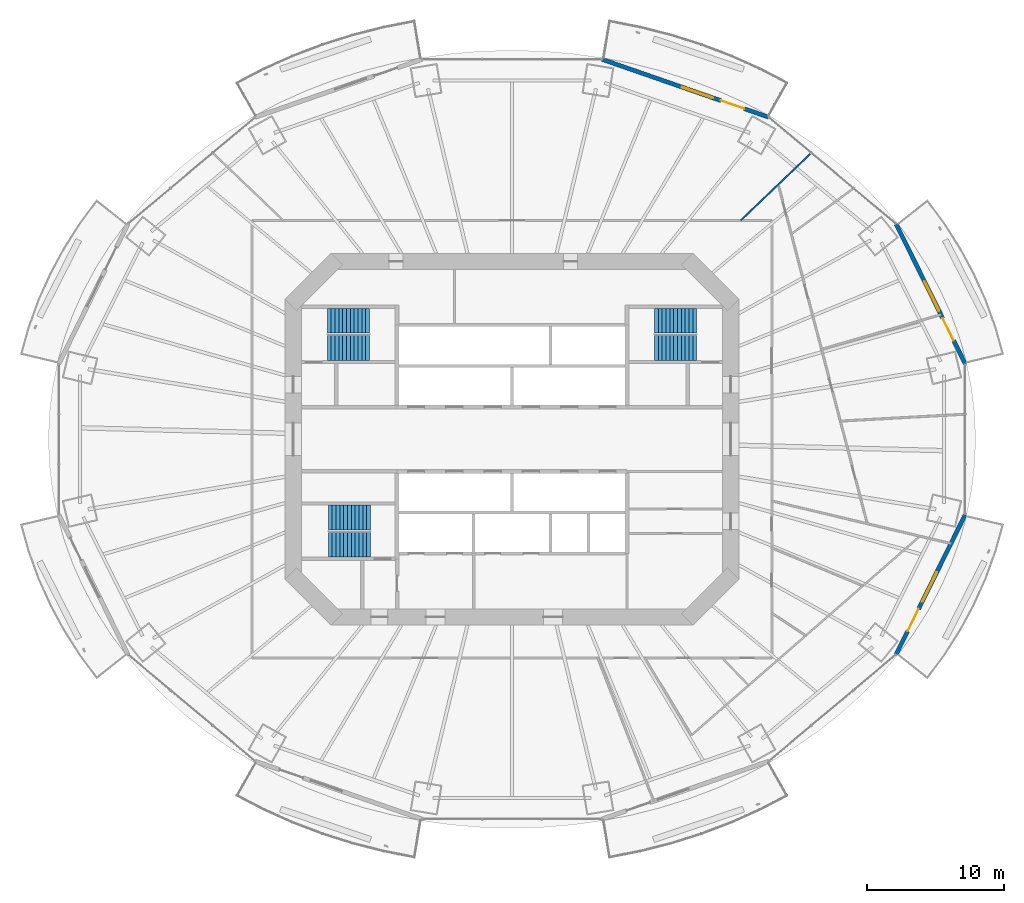
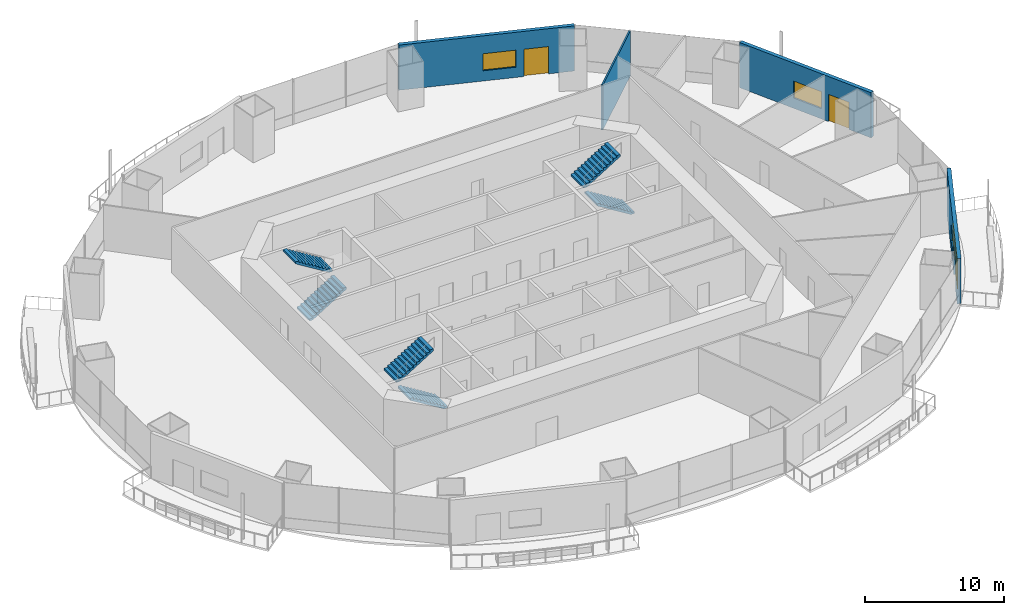
# One storey, part 16 of 21: 6 stair flights, 4 walls, 3 doors, 3 windows, 6 openings, 3 elements without a shape of their own.
"""IFC4 building model written with IfcOpenShell, lengths in metres."""

from ifc_helpers import new_model, si_unit, direction, frame, frame_2d, origin, place, context, subcontext, project, spatial, polyline, rectangle, outline, extrude, material, layer, layer_set, type_object, element, fill, aggregate, save


model = new_model("IFC4")

# Units and contexts
model_context = context("Model", 3, precision=1e-05, world=origin(), true_north=direction((0.0, 1.0)))
body_context = subcontext(model_context, "Body", "Model", "MODEL_VIEW")
ifc_project = project(units=[si_unit("LENGTHUNIT", "METRE"), si_unit("AREAUNIT", "SQUARE_METRE"), si_unit("VOLUMEUNIT", "CUBIC_METRE"), si_unit("PLANEANGLEUNIT", "RADIAN"), si_unit("MASSUNIT", "GRAM", prefix="KILO")], contexts=[model_context])

# Site, building, storey
site_placement = place(None, origin())
site = spatial("IfcSite", under=ifc_project, at=site_placement, CompositionType="ELEMENT")
building_placement = place(site_placement, origin())
building = spatial("IfcBuilding", under=site, at=building_placement, Name="Marenthal Gate Tower", CompositionType="ELEMENT")
storey_placement = place(building_placement, frame((0.0, 0.0, 120.14990234375)))
storey = spatial("IfcBuildingStorey", under=building, at=storey_placement, Name="L25", CompositionType="ELEMENT", Elevation=120.14990234375)

# Wall
ifc_material_1 = material(Name="Gypsum board on steel studs", Category="steel")
ifc_layer_1 = layer(ifc_material_1, 0.1201171875)
ifc_layer_set_1 = layer_set([ifc_layer_1], Name="Partition 120")
wall_type_1 = type_object("IfcWallType", Name="Partition 120", PredefinedType="PARTITIONING", material=ifc_layer_set_1)
wall_1_placement = place(storey_placement, frame((16.72314453125, 16.0, 0.0), z_axis=(0.0, 0.0, 1.0), x_axis=(0.722554998294, 0.69131344153, 0.0)))
element("IfcWall", 1, at=wall_1_placement, inside=storey, type_object=wall_type_1, Name="Partition wall 53", PredefinedType="PARTITIONING", context=body_context, shape_type="SweptSolid", body=[
    extrude(rectangle(XDim=7.142578125, YDim=0.1201171875, at=frame_2d((3.5712890625, 0.0))), origin(), (0.0, 0.0, 1.0), 3.97021484375),
])

# Wall, openings, door, window
ifc_material_2 = material(Name="Terracotta cladding on insulated concrete-block backing", Category="masonry")
ifc_layer_2 = layer(ifc_material_2, 0.300048828125)
ifc_layer_set_2 = layer_set([ifc_layer_2], Name="Terracotta facade wall 300")
wall_type_2 = type_object("IfcWallType", Name="Terracotta facade wall 300", PredefinedType="SOLIDWALL", material=ifc_layer_set_2)
wall_2_placement = place(storey_placement, frame((33.134765625, 5.525390625, 0.0), z_axis=(0.0, 0.0, 1.0), x_axis=(-0.442972236493, 0.896535329865, 0.0)))
wall_2 = element("IfcWall", 2, at=wall_2_placement, inside=storey, type_object=wall_type_2, Name="Terracotta facade wall L25 bay 1", PredefinedType="SOLIDWALL", context=body_context, shape_type="SweptSolid", body=[
    extrude(rectangle(XDim=11.3876953125, YDim=0.300048828125, at=frame_2d((5.69384765625, 0.0))), origin(), (0.0, 0.0, 1.0), 3.97021484375),
])
opening_1_placement = place(wall_2_placement, frame((1.89990234375, 0.0, 0.0)))
opening_1 = element("IfcOpeningElement", 3, at=opening_1_placement, cuts=wall_2, Name="Opening BD-L25-01", PredefinedType="OPENING", context=body_context, shape_type="SweptSolid", body=[
    extrude(rectangle(XDim=1.800048828125, YDim=2.39990234375, at=frame_2d((0.89990234375, 1.199951171875))), frame((0.0, 0.16015625, 0.0), z_axis=(0.0, -1.0, 0.0), x_axis=(1.0, 0.0, 0.0)), (0.0, 0.0, 1.0), 0.320068359375),
])
opening_2_placement = place(wall_2_placement, frame((4.300048828125, 0.0, 0.89990234375)))
opening_2 = element("IfcOpeningElement", 4, at=opening_2_placement, cuts=wall_2, Name="Opening WN1-L25-01", PredefinedType="OPENING", context=body_context, shape_type="SweptSolid", body=[
    extrude(rectangle(XDim=2.39990234375, YDim=1.5, at=frame_2d((1.199951171875, 0.75))), frame((0.0, 0.16015625, 0.0), z_axis=(0.0, -1.0, 0.0), x_axis=(1.0, 0.0, 0.0)), (0.0, 0.0, 1.0), 0.320068359375),
])
ifc_material_3 = material(Name="Aluminium and glass", Category="aluminium")
door_type = type_object("IfcDoorType", Name="Balcony door 1800x2400", OperationType="DOUBLE_DOOR_SINGLE_SWING", PredefinedType="DOOR", material=ifc_material_3)
door_1_placement = place(opening_1_placement, origin())
door_1 = element("IfcDoor", 5, at=door_1_placement, inside=storey, type_object=door_type, Name="Balcony door L25 bay 1", OperationType="SINGLE_SWING_LEFT", OverallHeight=2.39990234375, OverallWidth=1.800048828125, PredefinedType="DOOR", context=body_context, shape_type="SweptSolid", body=[
    extrude(rectangle(XDim=1.800048828125, YDim=2.39990234375, at=frame_2d((0.89990234375, 1.199951171875))), frame((0.0, 0.02490234375, 0.0), z_axis=(0.0, -1.0, 0.0), x_axis=(1.0, 0.0, 0.0)), (0.0, 0.0, 1.0), 0.050048828125),
])
fill(opening_1, door_1)
ifc_material_4 = material(Name="Aluminium and glass", Category="aluminium")
window_type = type_object("IfcWindowType", Name="Window 2400x1500", PartitioningType="TRIPLE_PANEL_VERTICAL", PredefinedType="WINDOW", material=ifc_material_4)
window_1_placement = place(opening_2_placement, origin())
window_1 = element("IfcWindow", 6, at=window_1_placement, inside=storey, type_object=window_type, Name="Window L25 bay 1", OverallHeight=1.5, OverallWidth=2.39990234375, PartitioningType="SINGLE_PANEL", PredefinedType="WINDOW", context=body_context, shape_type="SweptSolid", body=[
    extrude(rectangle(XDim=2.39990234375, YDim=1.5, at=frame_2d((1.199951171875, 0.75))), frame((0.0, 0.030029296875, 0.0), z_axis=(0.0, -1.0, 0.0), x_axis=(1.0, 0.0, 0.0)), (0.0, 0.0, 1.0), 0.06005859375),
])
fill(opening_2, window_1)

wall_3_placement = place(storey_placement, frame((18.769287109375, 23.548828125, 0.0), z_axis=(0.0, 0.0, 1.0), x_axis=(-0.944664780262, 0.328037273694, 0.0)))
wall_3 = element("IfcWall", 7, at=wall_3_placement, inside=storey, type_object=wall_type_2, Name="Terracotta facade wall L25 bay 3", PredefinedType="SOLIDWALL", context=body_context, shape_type="SweptSolid", body=[
    extrude(rectangle(XDim=12.891845703125, YDim=0.300048828125, at=frame_2d((6.44580078125, 0.0))), origin(), (0.0, 0.0, 1.0), 3.97021484375),
])
opening_3_placement = place(wall_3_placement, frame((1.89990234375, 0.0, 0.0)))
opening_3 = element("IfcOpeningElement", 8, at=opening_3_placement, cuts=wall_3, Name="Opening BD-L25-03", PredefinedType="OPENING", context=body_context, shape_type="SweptSolid", body=[
    extrude(rectangle(XDim=1.800048828125, YDim=2.39990234375, at=frame_2d((0.89990234375, 1.199951171875))), frame((0.0, 0.16015625, 0.0), z_axis=(0.0, -1.0, 0.0), x_axis=(1.0, 0.0, 0.0)), (0.0, 0.0, 1.0), 0.320068359375),
])
opening_4_placement = place(wall_3_placement, frame((4.300048828125, 0.0, 0.89990234375)))
opening_4 = element("IfcOpeningElement", 9, at=opening_4_placement, cuts=wall_3, Name="Opening WN1-L25-03", PredefinedType="OPENING", context=body_context, shape_type="SweptSolid", body=[
    extrude(rectangle(XDim=2.39990234375, YDim=1.5, at=frame_2d((1.199951171875, 0.75))), frame((0.0, 0.16015625, 0.0), z_axis=(0.0, -1.0, 0.0), x_axis=(1.0, 0.0, 0.0)), (0.0, 0.0, 1.0), 0.320068359375),
])
door_2_placement = place(opening_3_placement, origin())
door_2 = element("IfcDoor", 10, at=door_2_placement, inside=storey, type_object=door_type, Name="Balcony door L25 bay 3", OperationType="SINGLE_SWING_LEFT", OverallHeight=2.39990234375, OverallWidth=1.800048828125, PredefinedType="DOOR", context=body_context, shape_type="SweptSolid", body=[
    extrude(rectangle(XDim=1.800048828125, YDim=2.39990234375, at=frame_2d((0.89990234375, 1.199951171875))), frame((0.0, 0.02490234375, 0.0), z_axis=(0.0, -1.0, 0.0), x_axis=(1.0, 0.0, 0.0)), (0.0, 0.0, 1.0), 0.050048828125),
])
fill(opening_3, door_2)
window_2_placement = place(opening_4_placement, origin())
window_2 = element("IfcWindow", 11, at=window_2_placement, inside=storey, type_object=window_type, Name="Window L25 bay 3", OverallHeight=1.5, OverallWidth=2.39990234375, PartitioningType="SINGLE_PANEL", PredefinedType="WINDOW", context=body_context, shape_type="SweptSolid", body=[
    extrude(rectangle(XDim=2.39990234375, YDim=1.5, at=frame_2d((1.199951171875, 0.75))), frame((0.0, 0.030029296875, 0.0), z_axis=(0.0, -1.0, 0.0), x_axis=(1.0, 0.0, 0.0)), (0.0, 0.0, 1.0), 0.06005859375),
])
fill(opening_4, window_2)

wall_4_placement = place(storey_placement, frame((28.09033203125, -15.73486328125, 0.0), z_axis=(0.0, 0.0, 1.0), x_axis=(0.442972236493, 0.896535329865, 0.0)))
wall_4 = element("IfcWall", 12, at=wall_4_placement, inside=storey, type_object=wall_type_2, Name="Terracotta facade wall L25 bay 15", PredefinedType="SOLIDWALL", context=body_context, shape_type="SweptSolid", body=[
    extrude(rectangle(XDim=11.3876953125, YDim=0.300048828125, at=frame_2d((5.69384765625, 0.0))), origin(), (0.0, 0.0, 1.0), 3.97021484375),
])
opening_5_placement = place(wall_4_placement, frame((1.89990234375, 0.0, 0.0)))
opening_5 = element("IfcOpeningElement", 13, at=opening_5_placement, cuts=wall_4, Name="Opening BD-L25-15", PredefinedType="OPENING", context=body_context, shape_type="SweptSolid", body=[
    extrude(rectangle(XDim=1.800048828125, YDim=2.39990234375, at=frame_2d((0.89990234375, 1.199951171875))), frame((0.0, 0.16015625, 0.0), z_axis=(0.0, -1.0, 0.0), x_axis=(1.0, 0.0, 0.0)), (0.0, 0.0, 1.0), 0.320068359375),
])
opening_6_placement = place(wall_4_placement, frame((4.300048828125, 0.0, 0.89990234375)))
opening_6 = element("IfcOpeningElement", 14, at=opening_6_placement, cuts=wall_4, Name="Opening WN1-L25-15", PredefinedType="OPENING", context=body_context, shape_type="SweptSolid", body=[
    extrude(rectangle(XDim=2.39990234375, YDim=1.5, at=frame_2d((1.199951171875, 0.75))), frame((0.0, 0.16015625, 0.0), z_axis=(0.0, -1.0, 0.0), x_axis=(1.0, 0.0, 0.0)), (0.0, 0.0, 1.0), 0.320068359375),
])
door_3_placement = place(opening_5_placement, origin())
door_3 = element("IfcDoor", 15, at=door_3_placement, inside=storey, type_object=door_type, Name="Balcony door L25 bay 15", OperationType="SINGLE_SWING_LEFT", OverallHeight=2.39990234375, OverallWidth=1.800048828125, PredefinedType="DOOR", context=body_context, shape_type="SweptSolid", body=[
    extrude(rectangle(XDim=1.800048828125, YDim=2.39990234375, at=frame_2d((0.89990234375, 1.199951171875))), frame((0.0, 0.02490234375, 0.0), z_axis=(0.0, -1.0, 0.0), x_axis=(1.0, 0.0, 0.0)), (0.0, 0.0, 1.0), 0.050048828125),
])
fill(opening_5, door_3)
window_3_placement = place(opening_6_placement, origin())
window_3 = element("IfcWindow", 16, at=window_3_placement, inside=storey, type_object=window_type, Name="Window L25 bay 15", OverallHeight=1.5, OverallWidth=2.39990234375, PartitioningType="SINGLE_PANEL", PredefinedType="WINDOW", context=body_context, shape_type="SweptSolid", body=[
    extrude(rectangle(XDim=2.39990234375, YDim=1.5, at=frame_2d((1.199951171875, 0.75))), frame((0.0, 0.030029296875, 0.0), z_axis=(0.0, -1.0, 0.0), x_axis=(1.0, 0.0, 0.0)), (0.0, 0.0, 1.0), 0.06005859375),
])
fill(opening_6, window_3)

# Stair, stair flights
ifc_material_5 = material(Name="Concrete 40 MPa", Category="concrete")
stair_type = type_object("IfcStairType", Name="Exit stair 1800", PredefinedType="HALF_TURN_STAIR", material=ifc_material_5)
stair_1_placement = place(storey_placement, origin())
stair_1 = element("IfcStair", 17, at=stair_1_placement, inside=storey, type_object=stair_type, Name="Stair ST1", PredefinedType="HALF_TURN_STAIR")
ifc_material_6 = material(Name="Concrete 40 MPa", Category="concrete")
stair_flight_type = type_object("IfcStairFlightType", Name="Stair flight 1800", PredefinedType="STRAIGHT", material=ifc_material_6)
stair_flight_1_placement = place(storey_placement, frame((-13.5, 6.675048828125, 0.0), z_axis=(0.0, 0.0, 1.0), x_axis=(1.0, 0.0, 0.0)))
stair_flight_1 = element("IfcStairFlight", 18, at=stair_flight_1_placement, type_object=stair_flight_type, Name="ST1 flight 1", NumberOfRisers=12, NumberOfTreads=11, PredefinedType="STRAIGHT", RiserHeight=0.172916667, TreadLength=0.28, context=body_context, shape_type="SweptSolid", body=[
    extrude(outline(polyline([(0.0, 0.0), (0.0, 0.1728515625), (0.280029296875, 0.1728515625), (0.280029296875, 0.345947265625), (0.56005859375, 0.345947265625), (0.56005859375, 0.518798828125), (0.840087890625, 0.518798828125), (0.840087890625, 0.691650390625), (1.1201171875, 0.691650390625), (1.1201171875, 0.864501953125), (1.39990234375, 0.864501953125), (1.39990234375, 1.03759765625), (1.679931640625, 1.03759765625), (1.679931640625, 1.21044921875), (1.9599609375, 1.21044921875), (1.9599609375, 1.38330078125), (2.239990234375, 1.38330078125), (2.239990234375, 1.55615234375), (2.52001953125, 1.55615234375), (2.52001953125, 1.729248046875), (2.800048828125, 1.729248046875), (2.800048828125, 1.902099609375), (3.080078125, 1.902099609375), (3.080078125, 2.074951171875), (3.080078125, 1.725830078125), (0.285400390625, 0.0), (0.0, 0.0)])), frame((0.0, 0.89990234375, 0.0), z_axis=(0.0, -1.0, 0.0), x_axis=(1.0, 0.0, 0.0)), (0.0, 0.0, 1.0), 1.800048828125),
])
stair_flight_2_placement = place(storey_placement, frame((-10.419921875, 8.675048828125, 2.0751953125), z_axis=(0.0, 0.0, 1.0), x_axis=(-1.0, 0.0, 0.0)))
stair_flight_2 = element("IfcStairFlight", 19, at=stair_flight_2_placement, type_object=stair_flight_type, Name="ST1 flight 2", NumberOfRisers=12, NumberOfTreads=11, PredefinedType="STRAIGHT", RiserHeight=0.172916667, TreadLength=0.28, context=body_context, shape_type="SweptSolid", body=[
    extrude(outline(polyline([(0.0, 0.0), (0.0, 0.1728515625), (0.280029296875, 0.1728515625), (0.280029296875, 0.345947265625), (0.56005859375, 0.345947265625), (0.56005859375, 0.518798828125), (0.840087890625, 0.518798828125), (0.840087890625, 0.691650390625), (1.1201171875, 0.691650390625), (1.1201171875, 0.864501953125), (1.39990234375, 0.864501953125), (1.39990234375, 1.03759765625), (1.679931640625, 1.03759765625), (1.679931640625, 1.21044921875), (1.9599609375, 1.21044921875), (1.9599609375, 1.38330078125), (2.239990234375, 1.38330078125), (2.239990234375, 1.55615234375), (2.52001953125, 1.55615234375), (2.52001953125, 1.729248046875), (2.800048828125, 1.729248046875), (2.800048828125, 1.902099609375), (3.080078125, 1.902099609375), (3.080078125, 2.074951171875), (3.080078125, 1.725830078125), (0.285400390625, 0.0), (0.0, 0.0)])), frame((0.0, 0.89990234375, 0.0), z_axis=(0.0, -1.0, 0.0), x_axis=(1.0, 0.0, 0.0)), (0.0, 0.0, 1.0), 1.800048828125),
])
aggregate(stair_1, [stair_flight_1, stair_flight_2])

stair_2_placement = place(storey_placement, origin())
stair_2 = element("IfcStair", 20, at=stair_2_placement, inside=storey, type_object=stair_type, Name="Stair ST2", PredefinedType="HALF_TURN_STAIR")
stair_flight_3_placement = place(storey_placement, frame((-10.35009765625, -7.72509765625, 0.0), z_axis=(0.0, 0.0, 1.0), x_axis=(-1.0, 0.0, 0.0)))
stair_flight_3 = element("IfcStairFlight", 21, at=stair_flight_3_placement, type_object=stair_flight_type, Name="ST2 flight 1", NumberOfRisers=12, NumberOfTreads=11, PredefinedType="STRAIGHT", RiserHeight=0.172916667, TreadLength=0.28, context=body_context, shape_type="SweptSolid", body=[
    extrude(outline(polyline([(0.0, 0.0), (0.0, 0.1728515625), (0.280029296875, 0.1728515625), (0.280029296875, 0.345947265625), (0.56005859375, 0.345947265625), (0.56005859375, 0.518798828125), (0.840087890625, 0.518798828125), (0.840087890625, 0.691650390625), (1.1201171875, 0.691650390625), (1.1201171875, 0.864501953125), (1.39990234375, 0.864501953125), (1.39990234375, 1.03759765625), (1.679931640625, 1.03759765625), (1.679931640625, 1.21044921875), (1.9599609375, 1.21044921875), (1.9599609375, 1.38330078125), (2.239990234375, 1.38330078125), (2.239990234375, 1.55615234375), (2.52001953125, 1.55615234375), (2.52001953125, 1.729248046875), (2.800048828125, 1.729248046875), (2.800048828125, 1.902099609375), (3.080078125, 1.902099609375), (3.080078125, 2.074951171875), (3.080078125, 1.725830078125), (0.285400390625, 0.0), (0.0, 0.0)])), frame((0.0, 0.89990234375, 0.0), z_axis=(0.0, -1.0, 0.0), x_axis=(1.0, 0.0, 0.0)), (0.0, 0.0, 1.0), 1.800048828125),
])
stair_flight_4_placement = place(storey_placement, frame((-13.429931640625, -5.72509765625, 2.0751953125), z_axis=(0.0, 0.0, 1.0), x_axis=(1.0, 0.0, 0.0)))
stair_flight_4 = element("IfcStairFlight", 22, at=stair_flight_4_placement, type_object=stair_flight_type, Name="ST2 flight 2", NumberOfRisers=12, NumberOfTreads=11, PredefinedType="STRAIGHT", RiserHeight=0.172916667, TreadLength=0.28, context=body_context, shape_type="SweptSolid", body=[
    extrude(outline(polyline([(0.0, 0.0), (0.0, 0.1728515625), (0.280029296875, 0.1728515625), (0.280029296875, 0.345947265625), (0.56005859375, 0.345947265625), (0.56005859375, 0.518798828125), (0.840087890625, 0.518798828125), (0.840087890625, 0.691650390625), (1.1201171875, 0.691650390625), (1.1201171875, 0.864501953125), (1.39990234375, 0.864501953125), (1.39990234375, 1.03759765625), (1.679931640625, 1.03759765625), (1.679931640625, 1.21044921875), (1.9599609375, 1.21044921875), (1.9599609375, 1.38330078125), (2.239990234375, 1.38330078125), (2.239990234375, 1.55615234375), (2.52001953125, 1.55615234375), (2.52001953125, 1.729248046875), (2.800048828125, 1.729248046875), (2.800048828125, 1.902099609375), (3.080078125, 1.902099609375), (3.080078125, 2.074951171875), (3.080078125, 1.725830078125), (0.285400390625, 0.0), (0.0, 0.0)])), frame((0.0, 0.89990234375, 0.0), z_axis=(0.0, -1.0, 0.0), x_axis=(1.0, 0.0, 0.0)), (0.0, 0.0, 1.0), 1.800048828125),
])
aggregate(stair_2, [stair_flight_3, stair_flight_4])

stair_3_placement = place(storey_placement, origin())
stair_3 = element("IfcStair", 23, at=stair_3_placement, inside=storey, type_object=stair_type, Name="Stair ST3", PredefinedType="HALF_TURN_STAIR")
stair_flight_5_placement = place(storey_placement, frame((13.5, 6.675048828125, 0.0), z_axis=(0.0, 0.0, 1.0), x_axis=(-1.0, 0.0, 0.0)))
stair_flight_5 = element("IfcStairFlight", 24, at=stair_flight_5_placement, type_object=stair_flight_type, Name="ST3 flight 1", NumberOfRisers=12, NumberOfTreads=11, PredefinedType="STRAIGHT", RiserHeight=0.172916667, TreadLength=0.28, context=body_context, shape_type="SweptSolid", body=[
    extrude(outline(polyline([(0.0, 0.0), (0.0, 0.1728515625), (0.280029296875, 0.1728515625), (0.280029296875, 0.345947265625), (0.56005859375, 0.345947265625), (0.56005859375, 0.518798828125), (0.840087890625, 0.518798828125), (0.840087890625, 0.691650390625), (1.1201171875, 0.691650390625), (1.1201171875, 0.864501953125), (1.39990234375, 0.864501953125), (1.39990234375, 1.03759765625), (1.679931640625, 1.03759765625), (1.679931640625, 1.21044921875), (1.9599609375, 1.21044921875), (1.9599609375, 1.38330078125), (2.239990234375, 1.38330078125), (2.239990234375, 1.55615234375), (2.52001953125, 1.55615234375), (2.52001953125, 1.729248046875), (2.800048828125, 1.729248046875), (2.800048828125, 1.902099609375), (3.080078125, 1.902099609375), (3.080078125, 2.074951171875), (3.080078125, 1.725830078125), (0.285400390625, 0.0), (0.0, 0.0)])), frame((0.0, 0.89990234375, 0.0), z_axis=(0.0, -1.0, 0.0), x_axis=(1.0, 0.0, 0.0)), (0.0, 0.0, 1.0), 1.800048828125),
])
stair_flight_6_placement = place(storey_placement, frame((10.419921875, 8.675048828125, 2.0751953125), z_axis=(0.0, 0.0, 1.0), x_axis=(1.0, 0.0, 0.0)))
stair_flight_6 = element("IfcStairFlight", 25, at=stair_flight_6_placement, type_object=stair_flight_type, Name="ST3 flight 2", NumberOfRisers=12, NumberOfTreads=11, PredefinedType="STRAIGHT", RiserHeight=0.172916667, TreadLength=0.28, context=body_context, shape_type="SweptSolid", body=[
    extrude(outline(polyline([(0.0, 0.0), (0.0, 0.1728515625), (0.280029296875, 0.1728515625), (0.280029296875, 0.345947265625), (0.56005859375, 0.345947265625), (0.56005859375, 0.518798828125), (0.840087890625, 0.518798828125), (0.840087890625, 0.691650390625), (1.1201171875, 0.691650390625), (1.1201171875, 0.864501953125), (1.39990234375, 0.864501953125), (1.39990234375, 1.03759765625), (1.679931640625, 1.03759765625), (1.679931640625, 1.21044921875), (1.9599609375, 1.21044921875), (1.9599609375, 1.38330078125), (2.239990234375, 1.38330078125), (2.239990234375, 1.55615234375), (2.52001953125, 1.55615234375), (2.52001953125, 1.729248046875), (2.800048828125, 1.729248046875), (2.800048828125, 1.902099609375), (3.080078125, 1.902099609375), (3.080078125, 2.074951171875), (3.080078125, 1.725830078125), (0.285400390625, 0.0), (0.0, 0.0)])), frame((0.0, 0.89990234375, 0.0), z_axis=(0.0, -1.0, 0.0), x_axis=(1.0, 0.0, 0.0)), (0.0, 0.0, 1.0), 1.800048828125),
])
aggregate(stair_3, [stair_flight_5, stair_flight_6])

save(model, "model.ifc")
